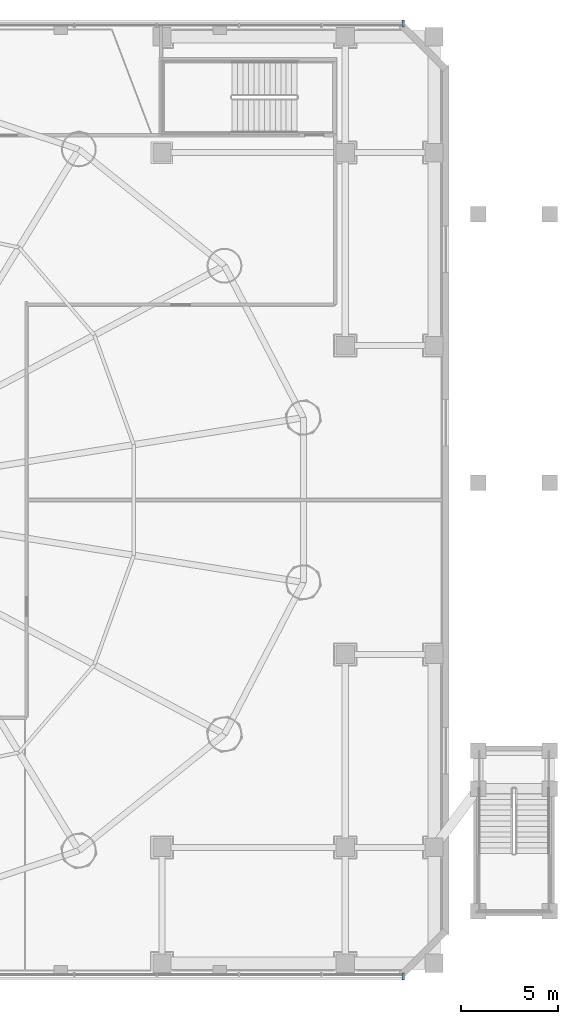
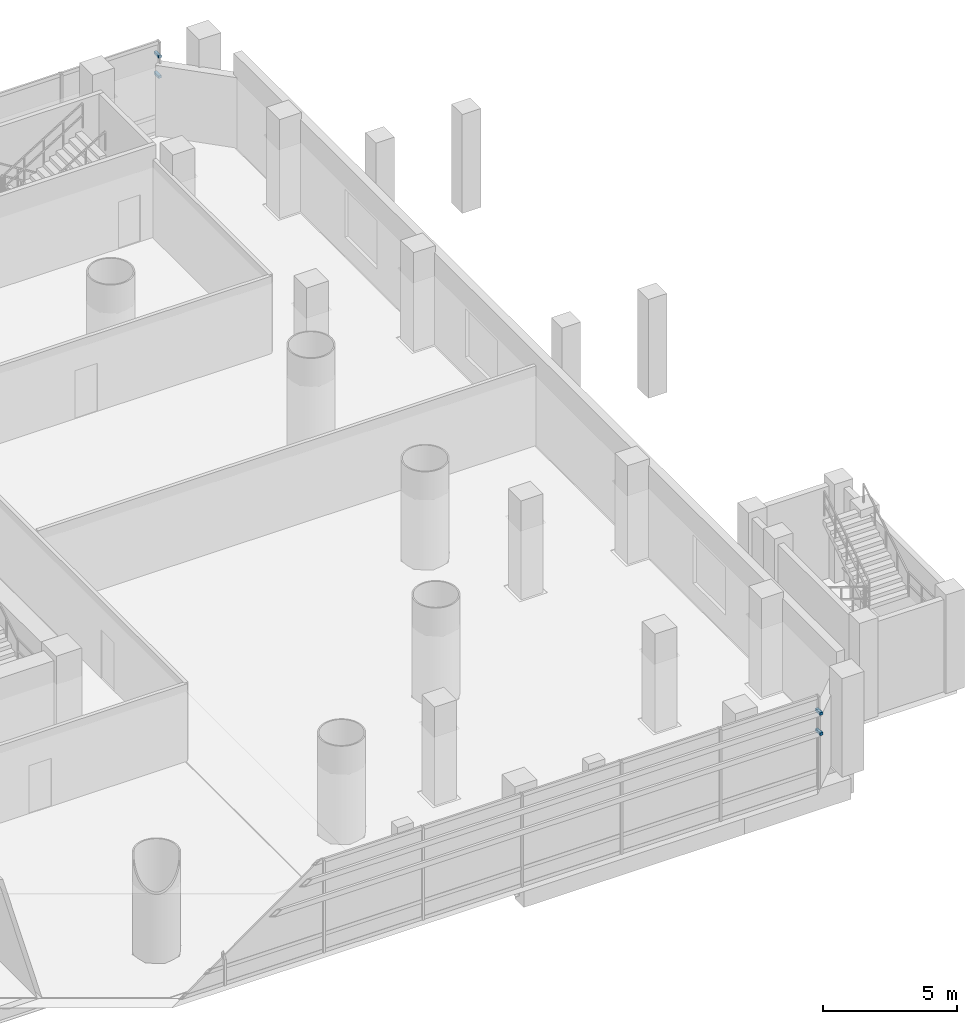
# One storey, part 26 of 36: 4 discrete accessories.
"""IFC4 building model written with IfcOpenShell, lengths in metres."""

from ifc_helpers import new_model, si_unit, direction, frame, origin, origin_2d, place, context, subcontext, project, spatial, rectangle, extrude, source, transform, mapped, material, layer, layer_set, type_object, element, save


model = new_model("IFC4")

# Units and contexts
model_context = context("Model", 3, precision=1e-05, world=origin(), true_north=direction((-0.2419218956, 0.970295726276)))
body_context = subcontext(model_context, "Body", "Model", "MODEL_VIEW")
ifc_project = project(units=[si_unit("LENGTHUNIT", "METRE"), si_unit("AREAUNIT", "SQUARE_METRE"), si_unit("VOLUMEUNIT", "CUBIC_METRE"), si_unit("PLANEANGLEUNIT", "RADIAN"), si_unit("MASSUNIT", "GRAM", prefix="KILO")], contexts=[model_context])

# Site, building, storey
site_placement = place(None, origin())
site = spatial("IfcSite", under=ifc_project, at=site_placement, CompositionType="ELEMENT")
building_placement = place(site_placement, origin())
building = spatial("IfcBuilding", under=site, at=building_placement, Name="Cobrevalo Terracotta Tower", CompositionType="ELEMENT")
storey_placement = place(building_placement, frame((0.0, 0.0, 5.39990234375)))
storey = spatial("IfcBuildingStorey", under=building, at=storey_placement, Name="L01", CompositionType="ELEMENT", Elevation=5.39990234375)

# Discrete accessories
ifc_material = material(Name="Brushed stainless steel", Category="steel")
ifc_layer = layer(ifc_material, 0.1201171875)
ifc_layer_set = layer_set([ifc_layer], Name="Brushed stainless steel")
discrete_accessory_type = type_object("IfcDiscreteAccessoryType", Name="Stainless Steel Facade & Canopy Support Bracket", PredefinedType="BRACKET", material=ifc_layer_set)
shared_shape = source(origin(), body_context, "Body", "SweptSolid", [
    extrude(rectangle(XDim=0.1201171875, YDim=0.360107421875, at=origin_2d()), origin(), (0.0, 0.0, 1.0), 0.1201171875),
])
for number, where, z_axis, x_axis, name in (
    (1, (70.010009765625, 2.110107421875, 2.5439453125), (0.0, 0.0, 1.0), (1.0, 0.0, 0.0), "CW-POD-L01-S stainless baguette support bracket 1-B"),
    (2, (70.010009765625, 2.110107421875, 3.468017578125), (0.0, 0.0, 1.0), (1.0, 0.0, 0.0), "CW-POD-L01-S stainless baguette support bracket 2-B"),
    (3, (70.010009765625, 51.489990234375, 2.5439453125), (0.0, 0.0, 1.0), (-1.0, 0.0, 0.0), "CW-POD-L01-N stainless baguette support bracket 1-A"),
    (4, (70.010009765625, 51.489990234375, 3.468017578125), (0.0, 0.0, 1.0), (-1.0, 0.0, 0.0), "CW-POD-L01-N stainless baguette support bracket 2-A"),
):
    element("IfcDiscreteAccessory", number, at=place(storey_placement, frame(where, z_axis=z_axis, x_axis=x_axis)), inside=storey, type_object=discrete_accessory_type, Name=name, PredefinedType="BRACKET", context=body_context, shape_type="MappedRepresentation", body=[
        mapped(shared_shape, transform((0.0, 0.0, 0.0), scale=1.0)),
    ])

save(model, "model.ifc")
